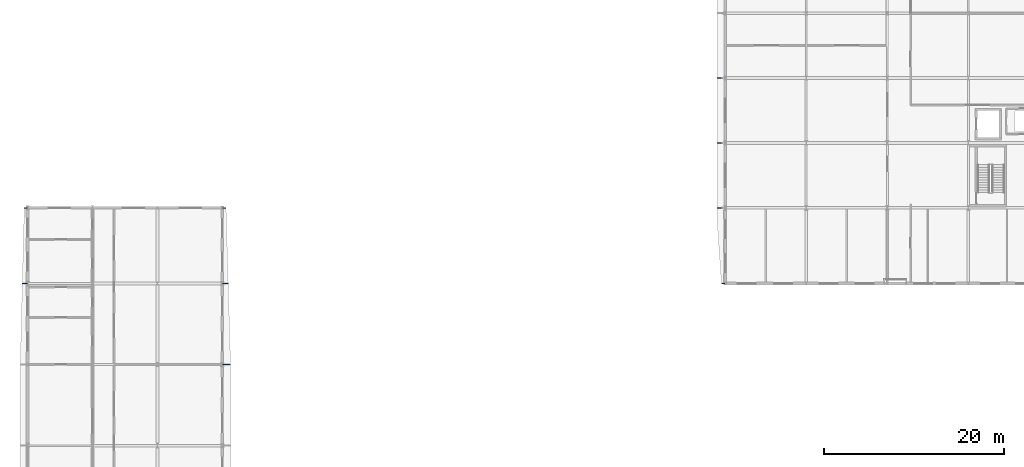
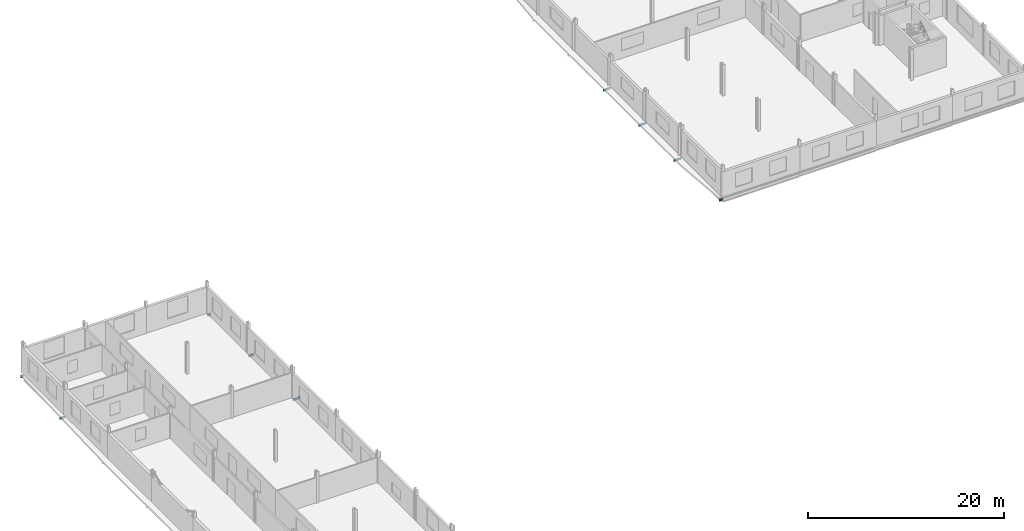
# One storey, part 27 of 49: 9 beams.
"""IFC4 building model written with IfcOpenShell, lengths in metres."""

from ifc_helpers import new_model, si_unit, direction, frame, origin, origin_2d, place, context, subcontext, project, spatial, i_section, extrude, material, material_profile, profile_set, type_object, element, save


model = new_model("IFC4")

# Units and contexts
model_context = context("Model", 3, precision=1e-05, world=origin(), true_north=direction((0.0, 1.0)))
body_context = subcontext(model_context, "Body", "Model", "MODEL_VIEW")
ifc_project = project(units=[si_unit("LENGTHUNIT", "METRE"), si_unit("AREAUNIT", "SQUARE_METRE"), si_unit("VOLUMEUNIT", "CUBIC_METRE"), si_unit("PLANEANGLEUNIT", "RADIAN"), si_unit("MASSUNIT", "GRAM", prefix="KILO")], contexts=[model_context])

# Site, building, storey
site_placement = place(None, origin())
site = spatial("IfcSite", under=ifc_project, at=site_placement, CompositionType="ELEMENT")
building_placement = place(site_placement, origin())
building = spatial("IfcBuilding", under=site, at=building_placement, Name="Vinh Khe Railworks Police Headquarters", CompositionType="ELEMENT")
storey_placement = place(building_placement, frame((0.0, 0.0, 17.10009765625)))
storey = spatial("IfcBuildingStorey", under=building, at=storey_placement, Name="L04", CompositionType="ELEMENT", Elevation=17.10009765625)

# Beams
ifc_material = material(Name="Steel S355JR", Category="steel")
ifc_material_profile = material_profile(ifc_material, i_section(OverallWidth=0.1201171875, OverallDepth=0.239990234375, WebThickness=0.006103515625, FlangeThickness=0.009765625, FilletRadius=0.014892578125, at=origin_2d()), Name="IPE 240")
ifc_profile_set = profile_set([ifc_material_profile], Name="Steel S355JR")
beam_type = type_object("IfcBeamType", Name="Monsoon Hood Outrigger IPE 240", PredefinedType="BEAM", material=ifc_profile_set)
beam_1_placement = place(storey_placement, frame((-0.002197265625, 122.39990234375, -0.360107421875), z_axis=(1.0, 0.0, 0.0), x_axis=(0.0, 1.0, 0.0)))
element("IfcBeam", 1, at=beam_1_placement, inside=storey, type_object=beam_type, Name="Monsoon Sun-Hood Outrigger L04-071", PredefinedType="BEAM", context=body_context, shape_type="SweptSolid", body=[
    extrude(i_section(OverallWidth=0.1201171875, OverallDepth=0.239990234375, WebThickness=0.006103515625, FlangeThickness=0.009765625, FilletRadius=0.014892578125, at=origin_2d()), origin(), (0.0, 0.0, 1.0), 0.602294921875),
])
beam_2_placement = place(storey_placement, frame((0.21142578125, 130.800048828125, -0.360107421875), z_axis=(1.0, 0.0, 0.0), x_axis=(0.0, 1.0, 0.0)))
element("IfcBeam", 2, at=beam_2_placement, inside=storey, type_object=beam_type, Name="Monsoon Sun-Hood Outrigger L04-072", PredefinedType="BEAM", context=body_context, shape_type="SweptSolid", body=[
    extrude(i_section(OverallWidth=0.1201171875, OverallDepth=0.239990234375, WebThickness=0.006103515625, FlangeThickness=0.009765625, FilletRadius=0.014892578125, at=origin_2d()), origin(), (0.0, 0.0, 1.0), 0.388671875),
])
beam_3_placement = place(storey_placement, frame((22.199951171875, 113.39990234375, -0.360107421875), z_axis=(1.0, 0.0, 0.0), x_axis=(0.0, 1.0, 0.0)))
element("IfcBeam", 3, at=beam_3_placement, inside=storey, type_object=beam_type, Name="Monsoon Sun-Hood Outrigger L04-082", PredefinedType="BEAM", context=body_context, shape_type="SweptSolid", body=[
    extrude(i_section(OverallWidth=0.1201171875, OverallDepth=0.239990234375, WebThickness=0.006103515625, FlangeThickness=0.009765625, FilletRadius=0.014892578125, at=origin_2d()), origin(), (0.0, 0.0, 1.0), 0.928466796875),
])
beam_4_placement = place(storey_placement, frame((22.199951171875, 122.39990234375, -0.360107421875), z_axis=(1.0, 0.0, 0.0), x_axis=(0.0, 1.0, 0.0)))
element("IfcBeam", 4, at=beam_4_placement, inside=storey, type_object=beam_type, Name="Monsoon Sun-Hood Outrigger L04-083", PredefinedType="BEAM", context=body_context, shape_type="SweptSolid", body=[
    extrude(i_section(OverallWidth=0.1201171875, OverallDepth=0.239990234375, WebThickness=0.006103515625, FlangeThickness=0.009765625, FilletRadius=0.014892578125, at=origin_2d()), origin(), (0.0, 0.0, 1.0), 0.667236328125),
])
beam_5_placement = place(storey_placement, frame((22.199951171875, 130.800048828125, -0.360107421875), z_axis=(1.0, 0.0, 0.0), x_axis=(0.0, 1.0, 0.0)))
element("IfcBeam", 5, at=beam_5_placement, inside=storey, type_object=beam_type, Name="Monsoon Sun-Hood Outrigger L04-084", PredefinedType="BEAM", context=body_context, shape_type="SweptSolid", body=[
    extrude(i_section(OverallWidth=0.1201171875, OverallDepth=0.239990234375, WebThickness=0.006103515625, FlangeThickness=0.009765625, FilletRadius=0.014892578125, at=origin_2d()), origin(), (0.0, 0.0, 1.0), 0.423583984375),
])
beam_6_placement = place(storey_placement, frame((77.58740234375, 122.39990234375, -0.360107421875), z_axis=(1.0, 0.0, 0.0), x_axis=(0.0, 1.0, 0.0)))
element("IfcBeam", 6, at=beam_6_placement, inside=storey, type_object=beam_type, Name="Monsoon Sun-Hood Outrigger L04-210", PredefinedType="BEAM", context=body_context, shape_type="SweptSolid", body=[
    extrude(i_section(OverallWidth=0.1201171875, OverallDepth=0.239990234375, WebThickness=0.006103515625, FlangeThickness=0.009765625, FilletRadius=0.014892578125, at=origin_2d()), origin(), (0.0, 0.0, 1.0), 0.41259765625),
])
for number, where, z_axis, x_axis, name in (
    (7, (77.10009765625, 130.800048828125, -0.360107421875), (1.0, 0.0, 0.0), (0.0, 1.0, 0.0), "Monsoon Sun-Hood Outrigger L04-211"),
    (8, (77.10009765625, 138.0, -0.360107421875), (1.0, 0.0, 0.0), (0.0, 1.0, 0.0), "Monsoon Sun-Hood Outrigger L04-212"),
    (9, (77.10009765625, 145.199951171875, -0.360107421875), (1.0, 0.0, 0.0), (0.0, 1.0, 0.0), "Monsoon Sun-Hood Outrigger L04-213"),
):
    element("IfcBeam", number, at=place(storey_placement, frame(where, z_axis=z_axis, x_axis=x_axis)), inside=storey, type_object=beam_type, Name=name, PredefinedType="BEAM", context=body_context, shape_type="SweptSolid", body=[
        extrude(i_section(OverallWidth=0.1201171875, OverallDepth=0.239990234375, WebThickness=0.006103515625, FlangeThickness=0.009765625, FilletRadius=0.014892578125, at=origin_2d()), origin(), (0.0, 0.0, 1.0), 0.89990234375),
    ])

save(model, "model.ifc")
